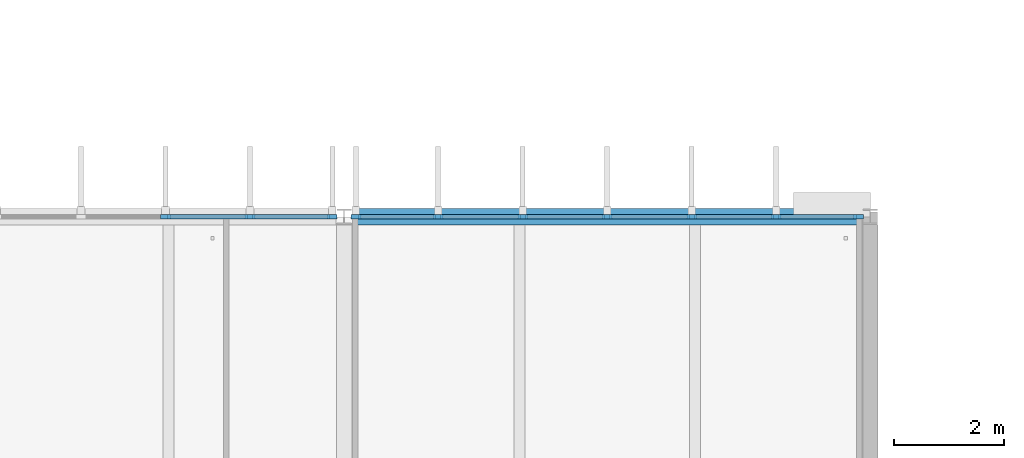
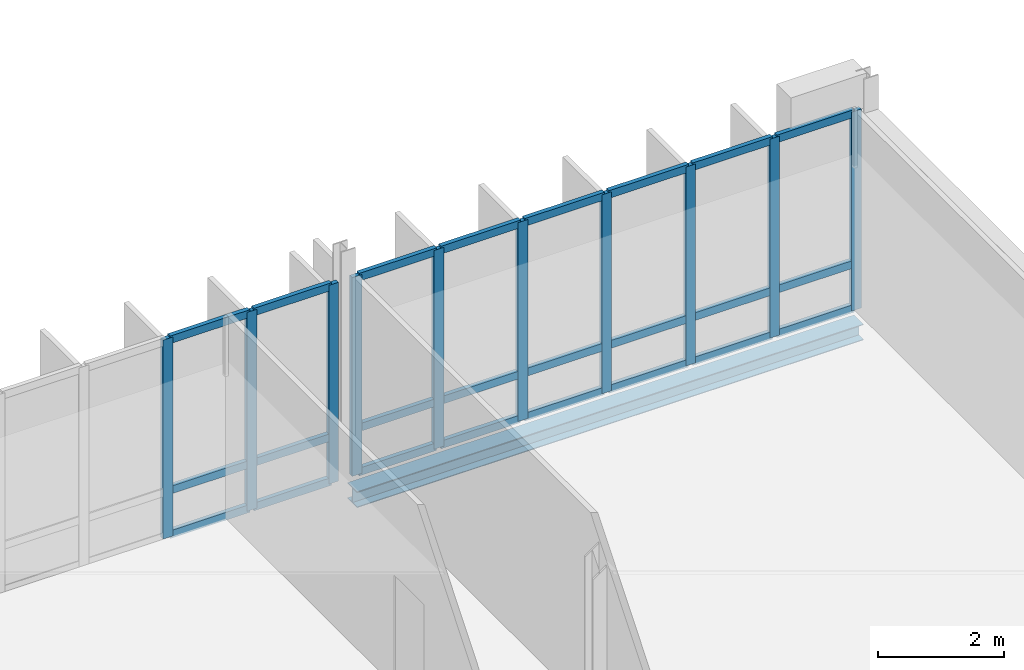
# One storey, part 34 of 93: 34 members, 1 beam, 2 elements without a shape of their own.
"""IFC4 building model written with IfcOpenShell, lengths in metres."""

import ifcopenshell
import ifcopenshell.guid

model = None  # the IFC model being written
_history = None  # IfcOwnerHistory: only IFC2X3 demands one
_inside = {}  # id of a spatial element -> (the spatial element, [elements in it])
_under = {}  # id of a project, library or spatial element -> (it, [spatial elements below it])
_declared = {}  # id of a project -> (the project, [libraries it declares])
_typed = {}  # id of a type object -> (the type object, [elements of that type])
_made_of = {}  # id of a material, layer set ... -> (it, [elements and type objects made of it])


def new_model(schema):
    """Start an empty IFC model of exactly this schema.

    Asked for "IFC4X3", IfcOpenShell would pick the latest addendum, in which some entities
    have other attributes; the version numbers below select the first issue.
    IFC2X3 requires an IfcOwnerHistory on every rooted entity: one is made here for all.
    """
    global model, _history
    if schema == "IFC4X3":
        model = ifcopenshell.file(schema_version=(4, 3, 0, 0))
    else:
        model = ifcopenshell.file(schema=schema)
    _inside.clear()
    _under.clear()
    _declared.clear()
    _typed.clear()
    _made_of.clear()
    _history = None
    if model.schema == "IFC2X3":
        org = make("IfcOrganization", Name="unknown")
        user = make(
            "IfcPersonAndOrganization",
            ThePerson=make("IfcPerson", FamilyName="unknown"),
            TheOrganization=org,
        )
        app = make(
            "IfcApplication",
            ApplicationDeveloper=org,
            Version="unknown",
            ApplicationFullName="unknown",
            ApplicationIdentifier="unknown",
        )
        _history = make(
            "IfcOwnerHistory",
            OwningUser=user,
            OwningApplication=app,
            ChangeAction="ADDED",
            CreationDate=0,
        )
    return model


def make(cls, **values):
    """One entity of the class cls with the attributes given. An attribute that is None is left unset."""
    return model.create_entity(
        cls, **{name: value for name, value in values.items() if value is not None}
    )


def rooted(cls, **values):
    """An entity with a GlobalId (a new one), such as an element, a storey or a relation."""
    return make(cls, GlobalId=ifcopenshell.guid.new(), OwnerHistory=_history, **values)


def si_unit(unit_type, name, prefix=None):
    """IfcSIUnit, for example si_unit("LENGTHUNIT", "METRE", prefix="MILLI")."""
    return make("IfcSIUnit", UnitType=unit_type, Prefix=prefix, Name=name)


def assignment(units):
    """IfcUnitAssignment: the units of a project."""
    return None if units is None else make("IfcUnitAssignment", Units=units)


def point(xyz):
    """IfcCartesianPoint."""
    return None if xyz is None else make("IfcCartesianPoint", Coordinates=xyz)


def direction(xyz):
    """IfcDirection."""
    return None if xyz is None else make("IfcDirection", DirectionRatios=xyz)


def frame(location, z_axis=None, x_axis=None):
    """IfcAxis2Placement3D, a coordinate frame: its origin and axes. An axis left out is left unset."""
    return make(
        "IfcAxis2Placement3D",
        Location=point(location),
        Axis=direction(z_axis),
        RefDirection=direction(x_axis),
    )


def frame_2d(location, x_axis=None):
    """IfcAxis2Placement2D, a coordinate frame in the plane: its origin and x axis."""
    return make(
        "IfcAxis2Placement2D", Location=point(location), RefDirection=direction(x_axis)
    )


def origin():
    """The frame at (0, 0, 0) with its axes left unset."""
    return frame((0.0, 0.0, 0.0))


def origin_2d():
    """The frame at (0, 0) in the plane with its x axis left unset."""
    return frame_2d((0.0, 0.0))


def place(relative_to, where):
    """IfcLocalPlacement: puts the frame where relative to a parent placement (None: the world)."""
    return make(
        "IfcLocalPlacement", PlacementRelTo=relative_to, RelativePlacement=where
    )


def context(
    kind, dimensions, precision=None, world=None, true_north=None, identifier=None
):
    """IfcGeometricRepresentationContext, for example the 3D "Model" context."""
    return make(
        "IfcGeometricRepresentationContext",
        ContextIdentifier=identifier,
        ContextType=kind,
        CoordinateSpaceDimension=dimensions,
        Precision=precision,
        WorldCoordinateSystem=world,
        TrueNorth=true_north,
    )


def subcontext(parent, identifier, kind, view, scale=None):
    """IfcGeometricRepresentationSubContext, for example "Body" below "Model"."""
    return make(
        "IfcGeometricRepresentationSubContext",
        ContextIdentifier=identifier,
        ContextType=kind,
        ParentContext=parent,
        TargetScale=scale,
        TargetView=view,
    )


def project(units=None, contexts=None):
    """IfcProject with its units and contexts."""
    return rooted(
        "IfcProject",
        Name="project",
        RepresentationContexts=contexts,
        UnitsInContext=assignment(units),
    )


def spatial(cls, under=None, at=None, **own):
    """A site, building, storey or space (cls), placed at a placement, below another one or the project."""
    s = rooted(cls, ObjectPlacement=at, **own)
    if under is not None:
        _under.setdefault(under.id(), (under, []))[1].append(s)
    return s


def profile(cls, at=None, kind="AREA", **sizes):
    """A parametric profile (cls). Its sizes go by their IFC names, for example OverallWidth=200.0."""
    return make(cls, ProfileType=kind, Position=at, **sizes)


def rectangle(**sizes):
    """IfcRectangleProfileDef."""
    return profile("IfcRectangleProfileDef", **sizes)


def i_section(**sizes):
    """IfcIShapeProfileDef."""
    return profile("IfcIShapeProfileDef", **sizes)


def extrude(swept, where, along, depth):
    """IfcExtrudedAreaSolid: the profile swept, set in the frame where, extruded along a direction by depth."""
    return make(
        "IfcExtrudedAreaSolid",
        SweptArea=swept,
        Position=where,
        ExtrudedDirection=direction(along),
        Depth=depth,
    )


def shape(context_of_items, identifier, shape_type, items):
    """IfcShapeRepresentation: the items that make up one representation, for example the "Body"."""
    return make(
        "IfcShapeRepresentation",
        ContextOfItems=context_of_items,
        RepresentationIdentifier=identifier,
        RepresentationType=shape_type,
        Items=items,
    )


def material(Name=None, Category=None):
    """IfcMaterial."""
    return make("IfcMaterial", Name=Name, Category=Category)


def material_profile(
    of_material, cross_section, Name=None, Category=None, Priority=None
):
    """IfcMaterialProfile: a cross section and its material."""
    return make(
        "IfcMaterialProfile",
        Name=Name,
        Material=of_material,
        Profile=cross_section,
        Priority=Priority,
        Category=Category,
    )


def profile_set(profiles, Name=None, composite=None):
    """IfcMaterialProfileSet."""
    return make(
        "IfcMaterialProfileSet",
        Name=Name,
        MaterialProfiles=profiles,
        CompositeProfile=composite,
    )


def made_of(thing, what):
    """Note that an element or type object is made of a material, layer set ...; save() writes the relation."""
    if what is not None:
        _made_of.setdefault(what.id(), (what, []))[1].append(thing)
    return thing


def type_object(cls, material=None, **own):
    """A type object (cls), such as IfcWallType, which elements share."""
    return made_of(rooted(cls, **own), material)


def element(
    cls,
    number,
    at=None,
    inside=None,
    cuts=None,
    type_object=None,
    material=None,
    context=None,
    identifier="Body",
    shape_type=None,
    held_by="IfcProductDefinitionShape",
    body=None,
    shapes=None,
    **own,
):
    """One element of the class cls, such as IfcWall. Its Tag is "e" and its number.

    at: its placement. inside: the storey or other place that contains it. cuts: it is an
    opening in that element (IfcRelVoidsElement). A single representation is given by context,
    identifier, shape_type and body (its items); several are given by shapes. held_by: the class
    of the entity that holds the representations. save() writes the other relations.
    """
    e = rooted(cls, Tag="e%d" % number, ObjectPlacement=at, **own)
    if body is not None:
        shapes = [shape(context, identifier, shape_type, body)]
    if shapes is not None:
        e.Representation = make(held_by, Representations=shapes)
    if inside is not None:
        _inside.setdefault(inside.id(), (inside, []))[1].append(e)
    if cuts is not None:
        rooted(
            "IfcRelVoidsElement", RelatingBuildingElement=cuts, RelatedOpeningElement=e
        )
    if type_object is not None:
        _typed.setdefault(type_object.id(), (type_object, []))[1].append(e)
    return made_of(e, material)


def aggregate(whole, parts):
    """IfcRelAggregates: a whole, such as a stair, and the parts it consists of."""
    return rooted("IfcRelAggregates", RelatingObject=whole, RelatedObjects=parts)


def save(model, path):
    """Write the relations noted so far, then the file.

    IfcRelAggregates (storeys below a building ...), IfcRelContainedInSpatialStructure (elements
    in a storey), IfcRelDefinesByType, IfcRelAssociatesMaterial and IfcRelDeclares: one each for
    every whole, place, type object, material and project.
    """
    for whole, parts in _under.values():
        aggregate(whole, parts)
    for where, things in _inside.values():
        rooted(
            "IfcRelContainedInSpatialStructure",
            RelatedElements=things,
            RelatingStructure=where,
        )
    for kind, things in _typed.values():
        rooted("IfcRelDefinesByType", RelatedObjects=things, RelatingType=kind)
    for what, things in _made_of.values():
        rooted("IfcRelAssociatesMaterial", RelatedObjects=things, RelatingMaterial=what)
    for by, libraries in _declared.values():
        rooted("IfcRelDeclares", RelatingContext=by, RelatedDefinitions=libraries)
    model.write(path)


model = new_model("IFC4")

# Units and contexts
model_context = context("Model", 3, precision=1e-05, world=origin(), true_north=direction((0.0, 1.0)))
body_context = subcontext(model_context, "Body", "Model", "MODEL_VIEW")
ifc_project = project(units=[si_unit("LENGTHUNIT", "METRE"), si_unit("AREAUNIT", "SQUARE_METRE"), si_unit("VOLUMEUNIT", "CUBIC_METRE"), si_unit("PLANEANGLEUNIT", "RADIAN"), si_unit("MASSUNIT", "GRAM", prefix="KILO")], contexts=[model_context])

# Site, building, storey
site_placement = place(None, origin())
site = spatial("IfcSite", under=ifc_project, at=site_placement, CompositionType="ELEMENT")
building_placement = place(site_placement, origin())
building = spatial("IfcBuilding", under=site, at=building_placement, Name="Dunescarp Central Library", CompositionType="ELEMENT")
storey_placement = place(building_placement, frame((0.0, 0.0, 14.10009765625)))
storey = spatial("IfcBuildingStorey", under=building, at=storey_placement, Name="L03", CompositionType="ELEMENT", Elevation=14.10009765625)

# Curtain wall, members
ifc_material_1 = material(Name="Marine-grade anodised aluminium 6063-T6", Category="aluminium")
curtain_wall_type = type_object("IfcCurtainWallType", Name="ARC-CW-STICK", PredefinedType="NOTDEFINED", material=ifc_material_1)
curtain_wall_1_placement = place(storey_placement, origin())
curtain_wall_1 = element("IfcCurtainWall", 1, at=curtain_wall_1_placement, inside=storey, type_object=curtain_wall_type, Name="L03 curtain wall CW-V2-065", PredefinedType="NOTDEFINED")
ifc_material_profile_1 = material_profile(ifc_material_1, rectangle(XDim=0.080078125, YDim=0.179931640625, at=origin_2d()), Name="AL 80x180")
ifc_profile_set_1 = profile_set([ifc_material_profile_1], Name="Marine-grade anodised aluminium 6063-T6")
member_type_1 = type_object("IfcMemberType", Name="ARC-CWM-180", PredefinedType="MULLION", material=ifc_profile_set_1)
member_1_placement = place(storey_placement, frame((63.941650390625, 36.800048828125, 0.0), z_axis=(0.0, 0.0, 1.0), x_axis=(0.0, 1.0, 0.0)))
member_1 = element("IfcMember", 2, at=member_1_placement, type_object=member_type_1, Name="CW-V2-065 mullion 5", PredefinedType="MULLION", context=body_context, shape_type="SweptSolid", body=[
    extrude(rectangle(XDim=0.080078125, YDim=0.179931640625, at=origin_2d()), origin(), (0.0, 0.0, 1.0), 3.86181640625),
])
member_2_placement = place(storey_placement, frame((65.4833984375, 36.800048828125, 0.0), z_axis=(0.0, 0.0, 1.0), x_axis=(0.0, 1.0, 0.0)))
member_2 = element("IfcMember", 3, at=member_2_placement, type_object=member_type_1, Name="CW-V2-065 mullion 6", PredefinedType="MULLION", context=body_context, shape_type="SweptSolid", body=[
    extrude(rectangle(XDim=0.080078125, YDim=0.179931640625, at=origin_2d()), origin(), (0.0, 0.0, 1.0), 3.86181640625),
])
member_3_placement = place(storey_placement, frame((66.985107421875, 36.800048828125, 0.0), z_axis=(0.0, 0.0, 1.0), x_axis=(0.0, 1.0, 0.0)))
member_3 = element("IfcMember", 4, at=member_3_placement, type_object=member_type_1, Name="CW-V2-065 mullion 7", PredefinedType="MULLION", context=body_context, shape_type="SweptSolid", body=[
    extrude(rectangle(XDim=0.080078125, YDim=0.179931640625, at=origin_2d()), origin(), (0.0, 0.0, 1.0), 3.86181640625),
])

curtain_wall_2_placement = place(storey_placement, origin())
curtain_wall_2 = element("IfcCurtainWall", 5, at=curtain_wall_2_placement, inside=storey, type_object=curtain_wall_type, Name="L03 curtain wall CW-V2-066", PredefinedType="NOTDEFINED")
member_4_placement = place(storey_placement, frame((67.4150390625, 36.800048828125, 0.0), z_axis=(0.0, 0.0, 1.0), x_axis=(0.0, 1.0, 0.0)))
member_4 = element("IfcMember", 6, at=member_4_placement, type_object=member_type_1, Name="CW-V2-066 mullion 1", PredefinedType="MULLION", context=body_context, shape_type="SweptSolid", body=[
    extrude(rectangle(XDim=0.080078125, YDim=0.179931640625, at=origin_2d()), origin(), (0.0, 0.0, 1.0), 3.86181640625),
])
member_5_placement = place(storey_placement, frame((68.916748046875, 36.800048828125, 0.0), z_axis=(0.0, 0.0, 1.0), x_axis=(0.0, 1.0, 0.0)))
member_5 = element("IfcMember", 7, at=member_5_placement, type_object=member_type_1, Name="CW-V2-066 mullion 2", PredefinedType="MULLION", context=body_context, shape_type="SweptSolid", body=[
    extrude(rectangle(XDim=0.080078125, YDim=0.179931640625, at=origin_2d()), origin(), (0.0, 0.0, 1.0), 3.86181640625),
])
member_6_placement = place(storey_placement, frame((70.458251953125, 36.800048828125, 0.0), z_axis=(0.0, 0.0, 1.0), x_axis=(0.0, 1.0, 0.0)))
member_6 = element("IfcMember", 8, at=member_6_placement, type_object=member_type_1, Name="CW-V2-066 mullion 3", PredefinedType="MULLION", context=body_context, shape_type="SweptSolid", body=[
    extrude(rectangle(XDim=0.080078125, YDim=0.179931640625, at=origin_2d()), origin(), (0.0, 0.0, 1.0), 3.86181640625),
])
member_7_placement = place(storey_placement, frame((72.0, 36.800048828125, 0.0), z_axis=(0.0, 0.0, 1.0), x_axis=(0.0, 1.0, 0.0)))
member_7 = element("IfcMember", 9, at=member_7_placement, type_object=member_type_1, Name="CW-V2-066 mullion 4", PredefinedType="MULLION", context=body_context, shape_type="SweptSolid", body=[
    extrude(rectangle(XDim=0.080078125, YDim=0.179931640625, at=origin_2d()), origin(), (0.0, 0.0, 1.0), 3.86181640625),
])
member_8_placement = place(storey_placement, frame((73.541748046875, 36.800048828125, 0.0), z_axis=(0.0, 0.0, 1.0), x_axis=(0.0, 1.0, 0.0)))
member_8 = element("IfcMember", 10, at=member_8_placement, type_object=member_type_1, Name="CW-V2-066 mullion 5", PredefinedType="MULLION", context=body_context, shape_type="SweptSolid", body=[
    extrude(rectangle(XDim=0.080078125, YDim=0.179931640625, at=origin_2d()), origin(), (0.0, 0.0, 1.0), 3.86181640625),
])
member_9_placement = place(storey_placement, frame((75.083251953125, 36.800048828125, 0.0), z_axis=(0.0, 0.0, 1.0), x_axis=(0.0, 1.0, 0.0)))
member_9 = element("IfcMember", 11, at=member_9_placement, type_object=member_type_1, Name="CW-V2-066 mullion 6", PredefinedType="MULLION", context=body_context, shape_type="SweptSolid", body=[
    extrude(rectangle(XDim=0.080078125, YDim=0.179931640625, at=origin_2d()), origin(), (0.0, 0.0, 1.0), 3.86181640625),
])
member_10_placement = place(storey_placement, frame((76.5849609375, 36.800048828125, 0.0), z_axis=(0.0, 0.0, 1.0), x_axis=(0.0, 1.0, 0.0)))
member_10 = element("IfcMember", 12, at=member_10_placement, type_object=member_type_1, Name="CW-V2-066 mullion 7", PredefinedType="MULLION", context=body_context, shape_type="SweptSolid", body=[
    extrude(rectangle(XDim=0.080078125, YDim=0.179931640625, at=origin_2d()), origin(), (0.0, 0.0, 1.0), 3.86181640625),
])

# Member
ifc_material_profile_2 = material_profile(ifc_material_1, rectangle(XDim=0.080078125, YDim=0.14990234375, at=origin_2d()), Name="AL 80x150")
ifc_profile_set_2 = profile_set([ifc_material_profile_2], Name="Marine-grade anodised aluminium 6063-T6")
member_type_2 = type_object("IfcMemberType", Name="ARC-CWT-150", PredefinedType="USERDEFINED", material=ifc_profile_set_2)
member_11_placement = place(storey_placement, frame((63.981689453125, 36.800048828125, 0.039794921875), z_axis=(1.0, 0.0, 0.0), x_axis=(0.0, 1.0, 0.0)))
member_11 = element("IfcMember", 13, at=member_11_placement, type_object=member_type_2, Name="CW-V2-065 transom 5.1", ObjectType="TRANSOM", PredefinedType="USERDEFINED", context=body_context, shape_type="SweptSolid", body=[
    extrude(rectangle(XDim=0.080078125, YDim=0.14990234375, at=origin_2d()), origin(), (0.0, 0.0, 1.0), 1.461669921875),
])

member_12_placement = place(storey_placement, frame((63.981689453125, 36.800048828125, 0.89990234375), z_axis=(1.0, 0.0, 0.0), x_axis=(0.0, 1.0, 0.0)))
member_12 = element("IfcMember", 14, at=member_12_placement, type_object=member_type_2, Name="CW-V2-065 transom 5.2", ObjectType="TRANSOM", PredefinedType="USERDEFINED", context=body_context, shape_type="SweptSolid", body=[
    extrude(rectangle(XDim=0.080078125, YDim=0.14990234375, at=origin_2d()), origin(), (0.0, 0.0, 1.0), 1.461669921875),
])

member_13_placement = place(storey_placement, frame((63.981689453125, 36.800048828125, 3.822021484375), z_axis=(1.0, 0.0, 0.0), x_axis=(0.0, 1.0, 0.0)))
member_13 = element("IfcMember", 15, at=member_13_placement, type_object=member_type_2, Name="CW-V2-065 transom 5.3", ObjectType="TRANSOM", PredefinedType="USERDEFINED", context=body_context, shape_type="SweptSolid", body=[
    extrude(rectangle(XDim=0.080078125, YDim=0.14990234375, at=origin_2d()), origin(), (0.0, 0.0, 1.0), 1.461669921875),
])

member_14_placement = place(storey_placement, frame((65.5234375, 36.800048828125, 0.039794921875), z_axis=(1.0, 0.0, 0.0), x_axis=(0.0, 1.0, 0.0)))
member_14 = element("IfcMember", 16, at=member_14_placement, type_object=member_type_2, Name="CW-V2-065 transom 6.1", ObjectType="TRANSOM", PredefinedType="USERDEFINED", context=body_context, shape_type="SweptSolid", body=[
    extrude(rectangle(XDim=0.080078125, YDim=0.14990234375, at=origin_2d()), origin(), (0.0, 0.0, 1.0), 1.421630859375),
])

member_15_placement = place(storey_placement, frame((65.5234375, 36.800048828125, 0.89990234375), z_axis=(1.0, 0.0, 0.0), x_axis=(0.0, 1.0, 0.0)))
member_15 = element("IfcMember", 17, at=member_15_placement, type_object=member_type_2, Name="CW-V2-065 transom 6.2", ObjectType="TRANSOM", PredefinedType="USERDEFINED", context=body_context, shape_type="SweptSolid", body=[
    extrude(rectangle(XDim=0.080078125, YDim=0.14990234375, at=origin_2d()), origin(), (0.0, 0.0, 1.0), 1.421630859375),
])

member_16_placement = place(storey_placement, frame((65.5234375, 36.800048828125, 3.822021484375), z_axis=(1.0, 0.0, 0.0), x_axis=(0.0, 1.0, 0.0)))
member_16 = element("IfcMember", 18, at=member_16_placement, type_object=member_type_2, Name="CW-V2-065 transom 6.3", ObjectType="TRANSOM", PredefinedType="USERDEFINED", context=body_context, shape_type="SweptSolid", body=[
    extrude(rectangle(XDim=0.080078125, YDim=0.14990234375, at=origin_2d()), origin(), (0.0, 0.0, 1.0), 1.421630859375),
])

aggregate(curtain_wall_1, [member_1, member_2, member_3, member_11, member_12, member_13, member_14, member_15, member_16])

member_17_placement = place(storey_placement, frame((67.455078125, 36.800048828125, 0.039794921875), z_axis=(1.0, 0.0, 0.0), x_axis=(0.0, 1.0, 0.0)))
member_17 = element("IfcMember", 19, at=member_17_placement, type_object=member_type_2, Name="CW-V2-066 transom 1.1", ObjectType="TRANSOM", PredefinedType="USERDEFINED", context=body_context, shape_type="SweptSolid", body=[
    extrude(rectangle(XDim=0.080078125, YDim=0.14990234375, at=origin_2d()), origin(), (0.0, 0.0, 1.0), 1.421630859375),
])

member_18_placement = place(storey_placement, frame((67.455078125, 36.800048828125, 0.89990234375), z_axis=(1.0, 0.0, 0.0), x_axis=(0.0, 1.0, 0.0)))
member_18 = element("IfcMember", 20, at=member_18_placement, type_object=member_type_2, Name="CW-V2-066 transom 1.2", ObjectType="TRANSOM", PredefinedType="USERDEFINED", context=body_context, shape_type="SweptSolid", body=[
    extrude(rectangle(XDim=0.080078125, YDim=0.14990234375, at=origin_2d()), origin(), (0.0, 0.0, 1.0), 1.421630859375),
])

member_19_placement = place(storey_placement, frame((67.455078125, 36.800048828125, 3.822021484375), z_axis=(1.0, 0.0, 0.0), x_axis=(0.0, 1.0, 0.0)))
member_19 = element("IfcMember", 21, at=member_19_placement, type_object=member_type_2, Name="CW-V2-066 transom 1.3", ObjectType="TRANSOM", PredefinedType="USERDEFINED", context=body_context, shape_type="SweptSolid", body=[
    extrude(rectangle(XDim=0.080078125, YDim=0.14990234375, at=origin_2d()), origin(), (0.0, 0.0, 1.0), 1.421630859375),
])

member_20_placement = place(storey_placement, frame((68.956787109375, 36.800048828125, 0.039794921875), z_axis=(1.0, 0.0, 0.0), x_axis=(0.0, 1.0, 0.0)))
member_20 = element("IfcMember", 22, at=member_20_placement, type_object=member_type_2, Name="CW-V2-066 transom 2.1", ObjectType="TRANSOM", PredefinedType="USERDEFINED", context=body_context, shape_type="SweptSolid", body=[
    extrude(rectangle(XDim=0.080078125, YDim=0.14990234375, at=origin_2d()), origin(), (0.0, 0.0, 1.0), 1.46142578125),
])

member_21_placement = place(storey_placement, frame((68.956787109375, 36.800048828125, 0.89990234375), z_axis=(1.0, 0.0, 0.0), x_axis=(0.0, 1.0, 0.0)))
member_21 = element("IfcMember", 23, at=member_21_placement, type_object=member_type_2, Name="CW-V2-066 transom 2.2", ObjectType="TRANSOM", PredefinedType="USERDEFINED", context=body_context, shape_type="SweptSolid", body=[
    extrude(rectangle(XDim=0.080078125, YDim=0.14990234375, at=origin_2d()), origin(), (0.0, 0.0, 1.0), 1.46142578125),
])

member_22_placement = place(storey_placement, frame((68.956787109375, 36.800048828125, 3.822021484375), z_axis=(1.0, 0.0, 0.0), x_axis=(0.0, 1.0, 0.0)))
member_22 = element("IfcMember", 24, at=member_22_placement, type_object=member_type_2, Name="CW-V2-066 transom 2.3", ObjectType="TRANSOM", PredefinedType="USERDEFINED", context=body_context, shape_type="SweptSolid", body=[
    extrude(rectangle(XDim=0.080078125, YDim=0.14990234375, at=origin_2d()), origin(), (0.0, 0.0, 1.0), 1.46142578125),
])

member_23_placement = place(storey_placement, frame((70.498291015625, 36.800048828125, 0.039794921875), z_axis=(1.0, 0.0, 0.0), x_axis=(0.0, 1.0, 0.0)))
member_23 = element("IfcMember", 25, at=member_23_placement, type_object=member_type_2, Name="CW-V2-066 transom 3.1", ObjectType="TRANSOM", PredefinedType="USERDEFINED", context=body_context, shape_type="SweptSolid", body=[
    extrude(rectangle(XDim=0.080078125, YDim=0.14990234375, at=origin_2d()), origin(), (0.0, 0.0, 1.0), 1.461669921875),
])

member_24_placement = place(storey_placement, frame((70.498291015625, 36.800048828125, 0.89990234375), z_axis=(1.0, 0.0, 0.0), x_axis=(0.0, 1.0, 0.0)))
member_24 = element("IfcMember", 26, at=member_24_placement, type_object=member_type_2, Name="CW-V2-066 transom 3.2", ObjectType="TRANSOM", PredefinedType="USERDEFINED", context=body_context, shape_type="SweptSolid", body=[
    extrude(rectangle(XDim=0.080078125, YDim=0.14990234375, at=origin_2d()), origin(), (0.0, 0.0, 1.0), 1.461669921875),
])

member_25_placement = place(storey_placement, frame((70.498291015625, 36.800048828125, 3.822021484375), z_axis=(1.0, 0.0, 0.0), x_axis=(0.0, 1.0, 0.0)))
member_25 = element("IfcMember", 27, at=member_25_placement, type_object=member_type_2, Name="CW-V2-066 transom 3.3", ObjectType="TRANSOM", PredefinedType="USERDEFINED", context=body_context, shape_type="SweptSolid", body=[
    extrude(rectangle(XDim=0.080078125, YDim=0.14990234375, at=origin_2d()), origin(), (0.0, 0.0, 1.0), 1.461669921875),
])

member_26_placement = place(storey_placement, frame((72.0400390625, 36.800048828125, 0.039794921875), z_axis=(1.0, 0.0, 0.0), x_axis=(0.0, 1.0, 0.0)))
member_26 = element("IfcMember", 28, at=member_26_placement, type_object=member_type_2, Name="CW-V2-066 transom 4.1", ObjectType="TRANSOM", PredefinedType="USERDEFINED", context=body_context, shape_type="SweptSolid", body=[
    extrude(rectangle(XDim=0.080078125, YDim=0.14990234375, at=origin_2d()), origin(), (0.0, 0.0, 1.0), 1.461669921875),
])

member_27_placement = place(storey_placement, frame((72.0400390625, 36.800048828125, 0.89990234375), z_axis=(1.0, 0.0, 0.0), x_axis=(0.0, 1.0, 0.0)))
member_27 = element("IfcMember", 29, at=member_27_placement, type_object=member_type_2, Name="CW-V2-066 transom 4.2", ObjectType="TRANSOM", PredefinedType="USERDEFINED", context=body_context, shape_type="SweptSolid", body=[
    extrude(rectangle(XDim=0.080078125, YDim=0.14990234375, at=origin_2d()), origin(), (0.0, 0.0, 1.0), 1.461669921875),
])

member_28_placement = place(storey_placement, frame((72.0400390625, 36.800048828125, 3.822021484375), z_axis=(1.0, 0.0, 0.0), x_axis=(0.0, 1.0, 0.0)))
member_28 = element("IfcMember", 30, at=member_28_placement, type_object=member_type_2, Name="CW-V2-066 transom 4.3", ObjectType="TRANSOM", PredefinedType="USERDEFINED", context=body_context, shape_type="SweptSolid", body=[
    extrude(rectangle(XDim=0.080078125, YDim=0.14990234375, at=origin_2d()), origin(), (0.0, 0.0, 1.0), 1.461669921875),
])

member_29_placement = place(storey_placement, frame((73.581787109375, 36.800048828125, 0.039794921875), z_axis=(1.0, 0.0, 0.0), x_axis=(0.0, 1.0, 0.0)))
member_29 = element("IfcMember", 31, at=member_29_placement, type_object=member_type_2, Name="CW-V2-066 transom 5.1", ObjectType="TRANSOM", PredefinedType="USERDEFINED", context=body_context, shape_type="SweptSolid", body=[
    extrude(rectangle(XDim=0.080078125, YDim=0.14990234375, at=origin_2d()), origin(), (0.0, 0.0, 1.0), 1.46142578125),
])

member_30_placement = place(storey_placement, frame((73.581787109375, 36.800048828125, 0.89990234375), z_axis=(1.0, 0.0, 0.0), x_axis=(0.0, 1.0, 0.0)))
member_30 = element("IfcMember", 32, at=member_30_placement, type_object=member_type_2, Name="CW-V2-066 transom 5.2", ObjectType="TRANSOM", PredefinedType="USERDEFINED", context=body_context, shape_type="SweptSolid", body=[
    extrude(rectangle(XDim=0.080078125, YDim=0.14990234375, at=origin_2d()), origin(), (0.0, 0.0, 1.0), 1.46142578125),
])

member_31_placement = place(storey_placement, frame((73.581787109375, 36.800048828125, 3.822021484375), z_axis=(1.0, 0.0, 0.0), x_axis=(0.0, 1.0, 0.0)))
member_31 = element("IfcMember", 33, at=member_31_placement, type_object=member_type_2, Name="CW-V2-066 transom 5.3", ObjectType="TRANSOM", PredefinedType="USERDEFINED", context=body_context, shape_type="SweptSolid", body=[
    extrude(rectangle(XDim=0.080078125, YDim=0.14990234375, at=origin_2d()), origin(), (0.0, 0.0, 1.0), 1.46142578125),
])

member_32_placement = place(storey_placement, frame((75.123291015625, 36.800048828125, 0.039794921875), z_axis=(1.0, 0.0, 0.0), x_axis=(0.0, 1.0, 0.0)))
member_32 = element("IfcMember", 34, at=member_32_placement, type_object=member_type_2, Name="CW-V2-066 transom 6.1", ObjectType="TRANSOM", PredefinedType="USERDEFINED", context=body_context, shape_type="SweptSolid", body=[
    extrude(rectangle(XDim=0.080078125, YDim=0.14990234375, at=origin_2d()), origin(), (0.0, 0.0, 1.0), 1.421630859375),
])

member_33_placement = place(storey_placement, frame((75.123291015625, 36.800048828125, 0.89990234375), z_axis=(1.0, 0.0, 0.0), x_axis=(0.0, 1.0, 0.0)))
member_33 = element("IfcMember", 35, at=member_33_placement, type_object=member_type_2, Name="CW-V2-066 transom 6.2", ObjectType="TRANSOM", PredefinedType="USERDEFINED", context=body_context, shape_type="SweptSolid", body=[
    extrude(rectangle(XDim=0.080078125, YDim=0.14990234375, at=origin_2d()), origin(), (0.0, 0.0, 1.0), 1.421630859375),
])

member_34_placement = place(storey_placement, frame((75.123291015625, 36.800048828125, 3.822021484375), z_axis=(1.0, 0.0, 0.0), x_axis=(0.0, 1.0, 0.0)))
member_34 = element("IfcMember", 36, at=member_34_placement, type_object=member_type_2, Name="CW-V2-066 transom 6.3", ObjectType="TRANSOM", PredefinedType="USERDEFINED", context=body_context, shape_type="SweptSolid", body=[
    extrude(rectangle(XDim=0.080078125, YDim=0.14990234375, at=origin_2d()), origin(), (0.0, 0.0, 1.0), 1.421630859375),
])

aggregate(curtain_wall_2, [member_4, member_5, member_6, member_7, member_8, member_9, member_10, member_17, member_18, member_19, member_20, member_21, member_22, member_23, member_24, member_25, member_26, member_27, member_28, member_29, member_30, member_31, member_32, member_33, member_34])

# Beam
ifc_material_2 = material(Name="Steel S355JR", Category="steel")
ifc_material_profile_3 = material_profile(ifc_material_2, i_section(OverallWidth=0.300048828125, OverallDepth=0.31005859375, WebThickness=0.009033203125, FlangeThickness=0.015380859375, at=origin_2d()), Name="HEA 320")
ifc_profile_set_3 = profile_set([ifc_material_profile_3], Name="Steel S355JR")
beam_type = type_object("IfcBeamType", Name="STR-BM-HEA320", PredefinedType="BEAM", material=ifc_profile_set_3)
beam_placement = place(storey_placement, frame((67.35107421875, 36.800048828125, -0.39501953125), z_axis=(1.0, 0.0, 0.0), x_axis=(0.0, 1.0, 0.0)))
element("IfcBeam", 37, at=beam_placement, inside=storey, type_object=beam_type, Name="L03 girder BM-L03-0534", PredefinedType="BEAM", context=body_context, shape_type="SweptSolid", body=[
    extrude(i_section(OverallWidth=0.300048828125, OverallDepth=0.31005859375, WebThickness=0.009033203125, FlangeThickness=0.015380859375, at=origin_2d()), origin(), (0.0, 0.0, 1.0), 9.2978515625),
])

save(model, "model.ifc")
